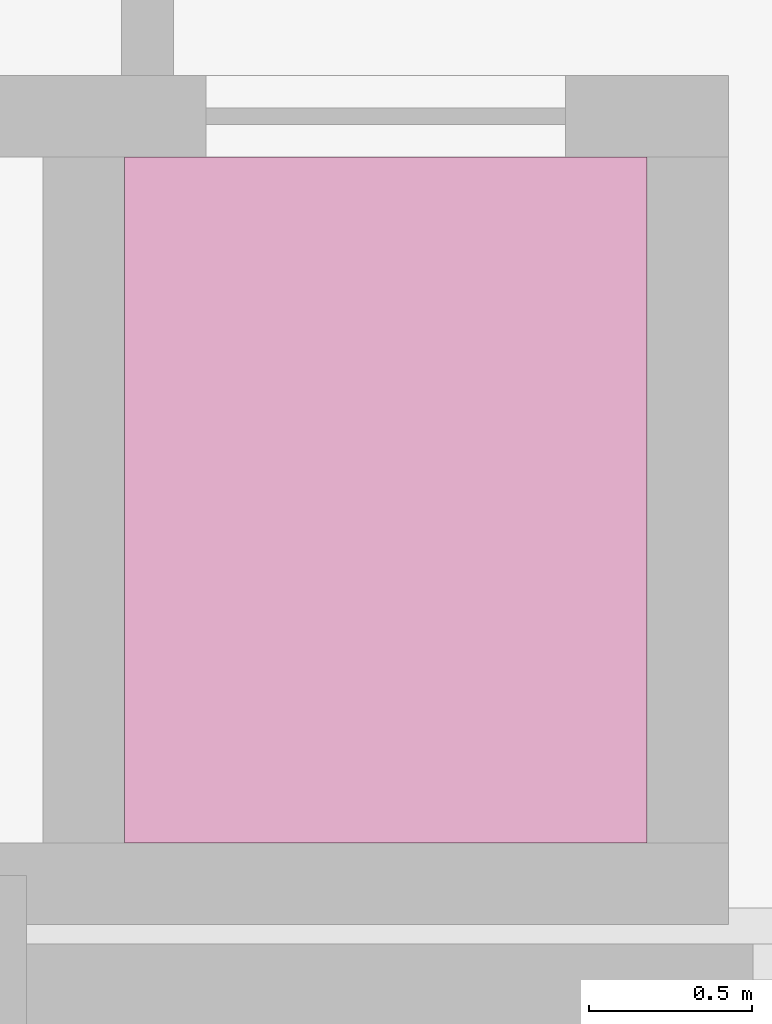
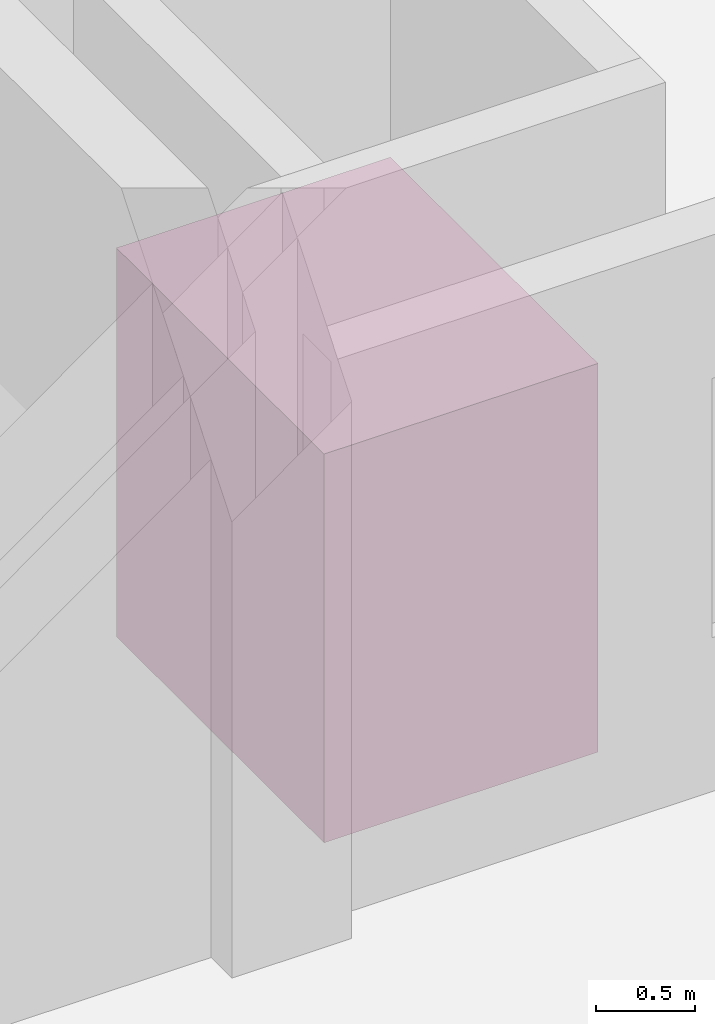
# One storey, part 139 of 139: 1 transport element.
"""IFC4 building model written with IfcOpenShell, lengths in metres."""

from ifc_helpers import new_model, si_unit, direction, frame, origin, origin_2d, place, context, subcontext, project, spatial, rectangle, extrude, material, type_object, element, save


model = new_model("IFC4")

# Units and contexts
model_context = context("Model", 3, precision=1e-05, world=origin(), true_north=direction((0.0, 1.0)))
body_context = subcontext(model_context, "Body", "Model", "MODEL_VIEW")
ifc_project = project(units=[si_unit("LENGTHUNIT", "METRE"), si_unit("AREAUNIT", "SQUARE_METRE"), si_unit("VOLUMEUNIT", "CUBIC_METRE"), si_unit("PLANEANGLEUNIT", "RADIAN"), si_unit("MASSUNIT", "GRAM", prefix="KILO")], contexts=[model_context])

# Site, building, storey
site_placement = place(None, origin())
site = spatial("IfcSite", under=ifc_project, at=site_placement, CompositionType="ELEMENT")
building_placement = place(site_placement, origin())
building = spatial("IfcBuilding", under=site, at=building_placement, Name="Suanplinth Sawtooth Commons", CompositionType="ELEMENT")
storey_placement = place(building_placement, origin())
storey = spatial("IfcBuildingStorey", under=building, at=storey_placement, Name="L00", CompositionType="ELEMENT", Elevation=0.0)

# Transport element
ifc_material = material(Name="Stainless steel Grade 304", Category="steel")
transport_element_type = type_object("IfcTransportElementType", Name="EL-02", PredefinedType="ELEVATOR", material=ifc_material)
transport_element_placement = place(storey_placement, frame((167.050048828125, 109.5, 0.0), z_axis=(0.0, 0.0, 1.0), x_axis=(1.0, 0.0, 0.0)))
element("IfcTransportElement", 1, at=transport_element_placement, inside=storey, type_object=transport_element_type, Name="Passenger Lift LF4", PredefinedType="ELEVATOR", context=body_context, shape_type="SweptSolid", body=[
    extrude(rectangle(XDim=1.60009765625, YDim=2.10009765625, at=origin_2d()), origin(), (0.0, 0.0, 1.0), 2.39990234375),
])

save(model, "model.ifc")
